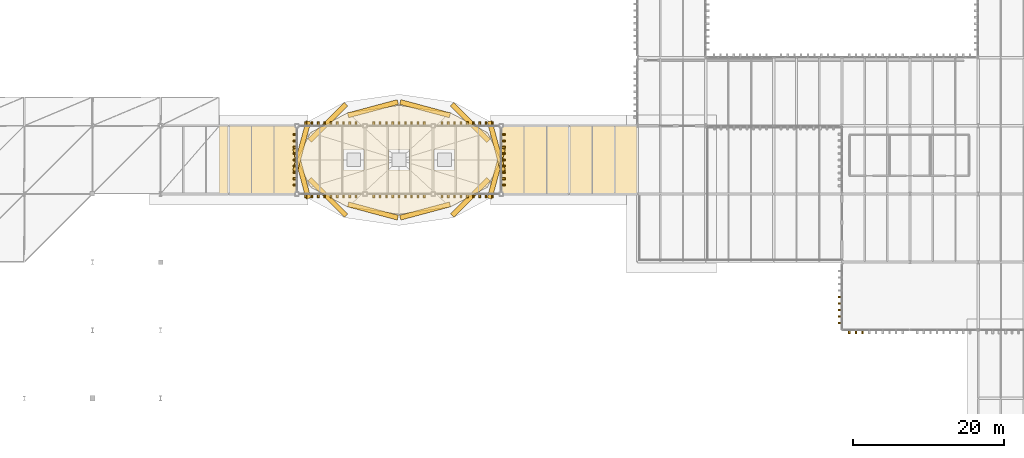
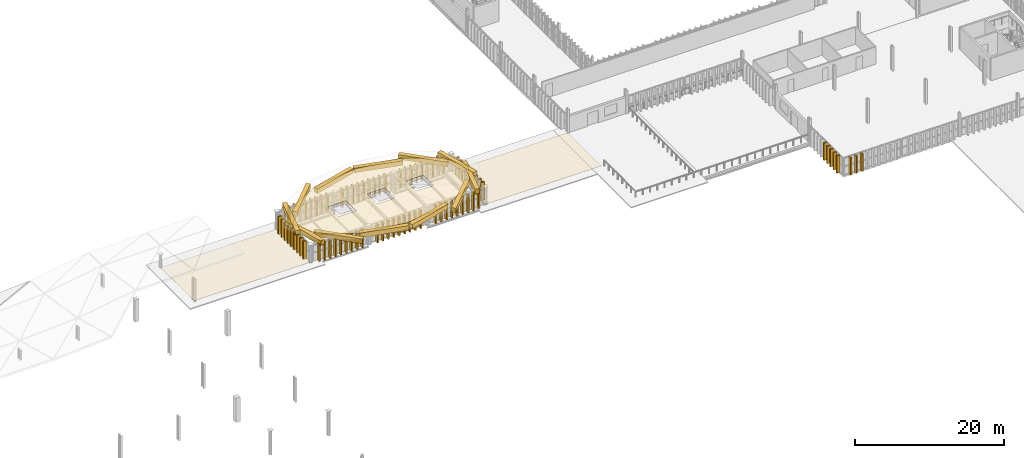
# One storey, part 94 of 102: 80 shading devices, 15 coverings.
"""IFC4 building model written with IfcOpenShell, lengths in metres."""

from ifc_helpers import new_model, si_unit, direction, frame, origin, origin_2d, place, context, subcontext, project, spatial, polyline, rectangle, outline, extrude, material, layer, layer_set, type_object, element, save


model = new_model("IFC4")

# Units and contexts
model_context = context("Model", 3, precision=1e-05, world=origin(), true_north=direction((0.0, 1.0)))
body_context = subcontext(model_context, "Body", "Model", "MODEL_VIEW")
ifc_project = project(units=[si_unit("LENGTHUNIT", "METRE"), si_unit("AREAUNIT", "SQUARE_METRE"), si_unit("VOLUMEUNIT", "CUBIC_METRE"), si_unit("PLANEANGLEUNIT", "RADIAN"), si_unit("MASSUNIT", "GRAM", prefix="KILO")], contexts=[model_context])

# Site, building, storey
site_placement = place(None, origin())
site = spatial("IfcSite", under=ifc_project, at=site_placement, CompositionType="ELEMENT")
building_placement = place(site_placement, origin())
building = spatial("IfcBuilding", under=site, at=building_placement, Name="Barlavento Convention Centre", CompositionType="ELEMENT")
storey_placement = place(building_placement, frame((0.0, 0.0, 22.800048828125)))
storey = spatial("IfcBuildingStorey", under=building, at=storey_placement, Name="L04", CompositionType="ELEMENT", Elevation=22.800048828125)

# Coverings
ifc_material_1 = material(Name="Macau dark grey granite cladding", Category="masonry")
ifc_layer_1 = layer(ifc_material_1, 0.050048828125)
ifc_layer_set_1 = layer_set([ifc_layer_1], Name="ARC-COV-CLAD-GRANITE")
covering_type_1 = type_object("IfcCoveringType", Name="ARC-COV-CLAD-GRANITE", PredefinedType="CLADDING", material=ifc_layer_set_1)
for number, where, z_axis, x_axis, name in (
    (1, (107.346923828125, 51.31201171875, 2.77490234375), (0.0, 0.0, 1.0), (-0.258819045103, 0.965925826289, 0.0), "Postmodern rotunda drum stone cornice ring CLD01"),
    (2, (103.905029296875, 54.449951171875, 2.77490234375), (0.0, 0.0, 1.0), (-0.707106781187, 0.707106781187, 0.0), "Postmodern rotunda drum stone cornice ring CLD01"),
    (3, (97.94189453125, 56.260986328125, 2.77490234375), (0.0, 0.0, 1.0), (-0.965925826289, 0.258819045103, 0.0), "Postmodern rotunda drum stone cornice ring CLD01"),
    (4, (91.05810546875, 56.260986328125, 2.77490234375), (0.0, 0.0, 1.0), (-0.965925826289, -0.258819045103, 0.0), "Postmodern rotunda drum stone cornice ring CLD01"),
    (5, (85.094970703125, 54.449951171875, 2.77490234375), (0.0, 0.0, 1.0), (-0.707106781187, -0.707106781187, 0.0), "Postmodern rotunda drum stone cornice ring CLD01"),
    (6, (81.653076171875, 51.31201171875, 2.77490234375), (0.0, 0.0, 1.0), (-0.258819045103, -0.965925826289, 0.0), "Postmodern rotunda drum stone cornice ring CLD01"),
    (7, (81.653076171875, 47.68798828125, 2.77490234375), (0.0, 0.0, 1.0), (0.258819045103, -0.965925826289, 0.0), "Postmodern rotunda drum stone cornice ring CLD01"),
    (8, (85.094970703125, 44.550048828125, 2.77490234375), (0.0, 0.0, 1.0), (0.707106781187, -0.707106781187, 0.0), "Postmodern rotunda drum stone cornice ring CLD01"),
    (9, (91.05810546875, 42.739013671875, 2.77490234375), (0.0, 0.0, 1.0), (0.965925826289, -0.258819045103, 0.0), "Postmodern rotunda drum stone cornice ring CLD01"),
    (10, (97.94189453125, 42.739013671875, 2.77490234375), (0.0, 0.0, 1.0), (0.965925826289, 0.258819045103, 0.0), "Postmodern rotunda drum stone cornice ring CLD01"),
    (11, (103.905029296875, 44.550048828125, 2.77490234375), (0.0, 0.0, 1.0), (0.707106781187, 0.707106781187, 0.0), "Postmodern rotunda drum stone cornice ring CLD01"),
    (12, (107.346923828125, 47.68798828125, 2.77490234375), (0.0, 0.0, 1.0), (0.258819045103, 0.965925826289, 0.0), "Postmodern rotunda drum stone cornice ring CLD01"),
):
    element("IfcCovering", number, at=place(storey_placement, frame(where, z_axis=z_axis, x_axis=x_axis)), inside=storey, type_object=covering_type_1, Name=name, PredefinedType="CLADDING", context=body_context, shape_type="SweptSolid", body=[
        extrude(rectangle(XDim=6.800048828125, YDim=0.64990234375, at=origin_2d()), origin(), (0.0, 0.0, 1.0), 0.75),
    ])
ifc_material_2 = material(Name="Insulated typhoon waterproof roofing membrane")
ifc_layer_2 = layer(ifc_material_2, 0.0400390625)
ifc_layer_set_2 = layer_set([ifc_layer_2], Name="ARC-COV-ROOFING-40")
covering_type_2 = type_object("IfcCoveringType", Name="ARC-COV-ROOFING-40", PredefinedType="ROOFING", material=ifc_layer_set_2)
covering_1_placement = place(storey_placement, frame((0.0, 0.0, 0.050048828125)))
element("IfcCovering", 13, at=covering_1_placement, inside=storey, type_object=covering_type_2, Name="L04 insulated waterproof roof covering", PredefinedType="ROOFING", context=body_context, shape_type="SweptSolid", body=[
    extrude(outline(polyline([(63.0, 45.0), (81.0, 45.0), (81.0, 54.0), (63.0, 54.0), (63.0, 45.0)])), origin(), (0.0, 0.0, 1.0), 0.039794921875),
])
covering_2_placement = place(storey_placement, frame((0.0, 0.0, 0.050048828125)))
element("IfcCovering", 14, at=covering_2_placement, inside=storey, type_object=covering_type_2, Name="L04 insulated waterproof roof covering", PredefinedType="ROOFING", context=body_context, shape_type="SweptSolid", body=[
    extrude(outline(polyline([(108.0, 45.0), (126.0, 45.0), (126.0, 54.0), (108.0, 54.0), (108.0, 45.0)])), origin(), (0.0, 0.0, 1.0), 0.039794921875),
])
covering_3_placement = place(storey_placement, frame((0.0, 0.0, 3.449951171875)))
element("IfcCovering", 15, at=covering_3_placement, inside=storey, type_object=covering_type_2, Name="L04 insulated waterproof roof covering", PredefinedType="ROOFING", context=body_context, shape_type="SweptSolid", body=[
    extrude(outline(polyline([(108.0, 49.5), (106.19091796875, 53.10009765625), (101.25, 55.735107421875), (94.5, 56.699951171875), (87.75, 55.735107421875), (82.80908203125, 53.10009765625), (81.0, 49.5), (82.80908203125, 45.89990234375), (87.75, 43.264892578125), (94.5, 42.300048828125), (101.25, 43.264892578125), (106.19091796875, 45.89990234375), (108.0, 49.5)]), holes=[polyline([(87.14990234375, 48.14990234375), (89.85009765625, 48.14990234375), (89.85009765625, 50.85009765625), (87.14990234375, 50.85009765625), (87.14990234375, 48.14990234375)]), polyline([(93.14990234375, 48.14990234375), (95.85009765625, 48.14990234375), (95.85009765625, 50.85009765625), (93.14990234375, 50.85009765625), (93.14990234375, 48.14990234375)]), polyline([(99.14990234375, 48.14990234375), (101.85009765625, 48.14990234375), (101.85009765625, 50.85009765625), (99.14990234375, 50.85009765625), (99.14990234375, 48.14990234375)])]), origin(), (0.0, 0.0, 1.0), 0.0400390625),
])

# Shading devices
ifc_material_3 = material(Name="PVDF white extruded aluminium", Category="aluminium")
shading_device_type = type_object("IfcShadingDeviceType", Name="ARC-SHD-FIN-480", PredefinedType="USERDEFINED", material=ifc_material_3)
for number, where, z_axis, x_axis, name in (
    (16, (82.167236328125, 44.760009765625, 0.0), (0.0, 0.0, 1.0), (1.0, 0.0, 0.0), "White vertical solar shading fin VF01"),
    (17, (83.00048828125, 44.760009765625, 0.0), (0.0, 0.0, 1.0), (1.0, 0.0, 0.0), "White vertical solar shading fin VF01"),
    (18, (83.83349609375, 44.760009765625, 0.0), (0.0, 0.0, 1.0), (1.0, 0.0, 0.0), "White vertical solar shading fin VF01"),
    (19, (84.666748046875, 44.760009765625, 0.0), (0.0, 0.0, 1.0), (1.0, 0.0, 0.0), "White vertical solar shading fin VF01"),
    (20, (85.5, 44.760009765625, 0.0), (0.0, 0.0, 1.0), (1.0, 0.0, 0.0), "White vertical solar shading fin VF01"),
    (21, (86.333251953125, 44.760009765625, 0.0), (0.0, 0.0, 1.0), (1.0, 0.0, 0.0), "White vertical solar shading fin VF01"),
    (22, (87.16650390625, 44.760009765625, 0.0), (0.0, 0.0, 1.0), (1.0, 0.0, 0.0), "White vertical solar shading fin VF01"),
    (23, (87.99951171875, 44.760009765625, 0.0), (0.0, 0.0, 1.0), (1.0, 0.0, 0.0), "White vertical solar shading fin VF01"),
    (24, (88.832763671875, 44.760009765625, 0.0), (0.0, 0.0, 1.0), (1.0, 0.0, 0.0), "White vertical solar shading fin VF01"),
    (25, (82.167236328125, 54.239990234375, 0.0), (0.0, 0.0, 1.0), (1.0, 0.0, 0.0), "White vertical solar shading fin VF01"),
    (26, (83.00048828125, 54.239990234375, 0.0), (0.0, 0.0, 1.0), (1.0, 0.0, 0.0), "White vertical solar shading fin VF01"),
    (27, (83.83349609375, 54.239990234375, 0.0), (0.0, 0.0, 1.0), (1.0, 0.0, 0.0), "White vertical solar shading fin VF01"),
    (28, (84.666748046875, 54.239990234375, 0.0), (0.0, 0.0, 1.0), (1.0, 0.0, 0.0), "White vertical solar shading fin VF01"),
    (29, (85.5, 54.239990234375, 0.0), (0.0, 0.0, 1.0), (1.0, 0.0, 0.0), "White vertical solar shading fin VF01"),
    (30, (86.333251953125, 54.239990234375, 0.0), (0.0, 0.0, 1.0), (1.0, 0.0, 0.0), "White vertical solar shading fin VF01"),
    (31, (87.16650390625, 54.239990234375, 0.0), (0.0, 0.0, 1.0), (1.0, 0.0, 0.0), "White vertical solar shading fin VF01"),
    (32, (87.99951171875, 54.239990234375, 0.0), (0.0, 0.0, 1.0), (1.0, 0.0, 0.0), "White vertical solar shading fin VF01"),
    (33, (88.832763671875, 54.239990234375, 0.0), (0.0, 0.0, 1.0), (1.0, 0.0, 0.0), "White vertical solar shading fin VF01"),
    (34, (91.167236328125, 44.760009765625, 0.0), (0.0, 0.0, 1.0), (1.0, 0.0, 0.0), "White vertical solar shading fin VF01"),
    (35, (92.00048828125, 44.760009765625, 0.0), (0.0, 0.0, 1.0), (1.0, 0.0, 0.0), "White vertical solar shading fin VF01"),
    (36, (92.83349609375, 44.760009765625, 0.0), (0.0, 0.0, 1.0), (1.0, 0.0, 0.0), "White vertical solar shading fin VF01"),
    (37, (93.666748046875, 44.760009765625, 0.0), (0.0, 0.0, 1.0), (1.0, 0.0, 0.0), "White vertical solar shading fin VF01"),
    (38, (94.5, 44.760009765625, 0.0), (0.0, 0.0, 1.0), (1.0, 0.0, 0.0), "White vertical solar shading fin VF01"),
    (39, (95.333251953125, 44.760009765625, 0.0), (0.0, 0.0, 1.0), (1.0, 0.0, 0.0), "White vertical solar shading fin VF01"),
    (40, (96.16650390625, 44.760009765625, 0.0), (0.0, 0.0, 1.0), (1.0, 0.0, 0.0), "White vertical solar shading fin VF01"),
    (41, (96.99951171875, 44.760009765625, 0.0), (0.0, 0.0, 1.0), (1.0, 0.0, 0.0), "White vertical solar shading fin VF01"),
    (42, (97.832763671875, 44.760009765625, 0.0), (0.0, 0.0, 1.0), (1.0, 0.0, 0.0), "White vertical solar shading fin VF01"),
    (43, (91.167236328125, 54.239990234375, 0.0), (0.0, 0.0, 1.0), (1.0, 0.0, 0.0), "White vertical solar shading fin VF01"),
    (44, (92.00048828125, 54.239990234375, 0.0), (0.0, 0.0, 1.0), (1.0, 0.0, 0.0), "White vertical solar shading fin VF01"),
    (45, (92.83349609375, 54.239990234375, 0.0), (0.0, 0.0, 1.0), (1.0, 0.0, 0.0), "White vertical solar shading fin VF01"),
    (46, (93.666748046875, 54.239990234375, 0.0), (0.0, 0.0, 1.0), (1.0, 0.0, 0.0), "White vertical solar shading fin VF01"),
    (47, (94.5, 54.239990234375, 0.0), (0.0, 0.0, 1.0), (1.0, 0.0, 0.0), "White vertical solar shading fin VF01"),
    (48, (95.333251953125, 54.239990234375, 0.0), (0.0, 0.0, 1.0), (1.0, 0.0, 0.0), "White vertical solar shading fin VF01"),
    (49, (96.16650390625, 54.239990234375, 0.0), (0.0, 0.0, 1.0), (1.0, 0.0, 0.0), "White vertical solar shading fin VF01"),
    (50, (96.99951171875, 54.239990234375, 0.0), (0.0, 0.0, 1.0), (1.0, 0.0, 0.0), "White vertical solar shading fin VF01"),
    (51, (97.832763671875, 54.239990234375, 0.0), (0.0, 0.0, 1.0), (1.0, 0.0, 0.0), "White vertical solar shading fin VF01"),
    (52, (100.167236328125, 44.760009765625, 0.0), (0.0, 0.0, 1.0), (1.0, 0.0, 0.0), "White vertical solar shading fin VF01"),
    (53, (101.00048828125, 44.760009765625, 0.0), (0.0, 0.0, 1.0), (1.0, 0.0, 0.0), "White vertical solar shading fin VF01"),
    (54, (101.83349609375, 44.760009765625, 0.0), (0.0, 0.0, 1.0), (1.0, 0.0, 0.0), "White vertical solar shading fin VF01"),
    (55, (102.666748046875, 44.760009765625, 0.0), (0.0, 0.0, 1.0), (1.0, 0.0, 0.0), "White vertical solar shading fin VF01"),
    (56, (103.5, 44.760009765625, 0.0), (0.0, 0.0, 1.0), (1.0, 0.0, 0.0), "White vertical solar shading fin VF01"),
    (57, (104.333251953125, 44.760009765625, 0.0), (0.0, 0.0, 1.0), (1.0, 0.0, 0.0), "White vertical solar shading fin VF01"),
    (58, (105.16650390625, 44.760009765625, 0.0), (0.0, 0.0, 1.0), (1.0, 0.0, 0.0), "White vertical solar shading fin VF01"),
    (59, (105.99951171875, 44.760009765625, 0.0), (0.0, 0.0, 1.0), (1.0, 0.0, 0.0), "White vertical solar shading fin VF01"),
    (60, (106.832763671875, 44.760009765625, 0.0), (0.0, 0.0, 1.0), (1.0, 0.0, 0.0), "White vertical solar shading fin VF01"),
    (61, (100.167236328125, 54.239990234375, 0.0), (0.0, 0.0, 1.0), (1.0, 0.0, 0.0), "White vertical solar shading fin VF01"),
    (62, (101.00048828125, 54.239990234375, 0.0), (0.0, 0.0, 1.0), (1.0, 0.0, 0.0), "White vertical solar shading fin VF01"),
    (63, (101.83349609375, 54.239990234375, 0.0), (0.0, 0.0, 1.0), (1.0, 0.0, 0.0), "White vertical solar shading fin VF01"),
    (64, (102.666748046875, 54.239990234375, 0.0), (0.0, 0.0, 1.0), (1.0, 0.0, 0.0), "White vertical solar shading fin VF01"),
    (65, (103.5, 54.239990234375, 0.0), (0.0, 0.0, 1.0), (1.0, 0.0, 0.0), "White vertical solar shading fin VF01"),
    (66, (104.333251953125, 54.239990234375, 0.0), (0.0, 0.0, 1.0), (1.0, 0.0, 0.0), "White vertical solar shading fin VF01"),
    (67, (105.16650390625, 54.239990234375, 0.0), (0.0, 0.0, 1.0), (1.0, 0.0, 0.0), "White vertical solar shading fin VF01"),
    (68, (105.99951171875, 54.239990234375, 0.0), (0.0, 0.0, 1.0), (1.0, 0.0, 0.0), "White vertical solar shading fin VF01"),
    (69, (106.832763671875, 54.239990234375, 0.0), (0.0, 0.0, 1.0), (1.0, 0.0, 0.0), "White vertical solar shading fin VF01"),
    (70, (80.760009765625, 46.167236328125, 0.0), (0.0, 0.0, 1.0), (0.0, 1.0, 0.0), "White vertical solar shading fin VF01"),
    (71, (80.760009765625, 47.00048828125, 0.0), (0.0, 0.0, 1.0), (0.0, 1.0, 0.0), "White vertical solar shading fin VF01"),
    (72, (80.760009765625, 47.83349609375, 0.0), (0.0, 0.0, 1.0), (0.0, 1.0, 0.0), "White vertical solar shading fin VF01"),
    (73, (80.760009765625, 48.666748046875, 0.0), (0.0, 0.0, 1.0), (0.0, 1.0, 0.0), "White vertical solar shading fin VF01"),
    (74, (80.760009765625, 49.5, 0.0), (0.0, 0.0, 1.0), (0.0, 1.0, 0.0), "White vertical solar shading fin VF01"),
    (75, (80.760009765625, 50.333251953125, 0.0), (0.0, 0.0, 1.0), (0.0, 1.0, 0.0), "White vertical solar shading fin VF01"),
    (76, (80.760009765625, 51.16650390625, 0.0), (0.0, 0.0, 1.0), (0.0, 1.0, 0.0), "White vertical solar shading fin VF01"),
    (77, (80.760009765625, 51.99951171875, 0.0), (0.0, 0.0, 1.0), (0.0, 1.0, 0.0), "White vertical solar shading fin VF01"),
    (78, (80.760009765625, 52.832763671875, 0.0), (0.0, 0.0, 1.0), (0.0, 1.0, 0.0), "White vertical solar shading fin VF01"),
    (79, (108.239990234375, 46.167236328125, 0.0), (0.0, 0.0, 1.0), (0.0, 1.0, 0.0), "White vertical solar shading fin VF01"),
    (80, (108.239990234375, 47.00048828125, 0.0), (0.0, 0.0, 1.0), (0.0, 1.0, 0.0), "White vertical solar shading fin VF01"),
    (81, (108.239990234375, 47.83349609375, 0.0), (0.0, 0.0, 1.0), (0.0, 1.0, 0.0), "White vertical solar shading fin VF01"),
    (82, (108.239990234375, 48.666748046875, 0.0), (0.0, 0.0, 1.0), (0.0, 1.0, 0.0), "White vertical solar shading fin VF01"),
    (83, (108.239990234375, 49.5, 0.0), (0.0, 0.0, 1.0), (0.0, 1.0, 0.0), "White vertical solar shading fin VF01"),
    (84, (108.239990234375, 50.333251953125, 0.0), (0.0, 0.0, 1.0), (0.0, 1.0, 0.0), "White vertical solar shading fin VF01"),
    (85, (108.239990234375, 51.16650390625, 0.0), (0.0, 0.0, 1.0), (0.0, 1.0, 0.0), "White vertical solar shading fin VF01"),
    (86, (108.239990234375, 51.99951171875, 0.0), (0.0, 0.0, 1.0), (0.0, 1.0, 0.0), "White vertical solar shading fin VF01"),
    (87, (108.239990234375, 52.832763671875, 0.0), (0.0, 0.0, 1.0), (0.0, 1.0, 0.0), "White vertical solar shading fin VF01"),
):
    element("IfcShadingDevice", number, at=place(storey_placement, frame(where, z_axis=z_axis, x_axis=x_axis)), inside=storey, type_object=shading_device_type, Name=name, ObjectType="FIN", PredefinedType="USERDEFINED", context=body_context, shape_type="SweptSolid", body=[
        extrude(rectangle(XDim=0.219970703125, YDim=0.52001953125, at=origin_2d()), origin(), (0.0, 0.0, 1.0), 3.0),
    ])
for number, where, z_axis, x_axis, name in (
    (88, (153.964111328125, 26.760009765625, 0.0), (0.0, 0.0, 1.0), (1.0, 0.0, 0.0), "White vertical solar shading fin VF01"),
    (89, (154.847900390625, 26.760009765625, 0.0), (0.0, 0.0, 1.0), (1.0, 0.0, 0.0), "White vertical solar shading fin VF01"),
    (90, (155.73193359375, 26.760009765625, 0.0), (0.0, 0.0, 1.0), (1.0, 0.0, 0.0), "White vertical solar shading fin VF01"),
    (91, (152.760009765625, 27.94091796875, 0.0), (0.0, 0.0, 1.0), (0.0, 1.0, 0.0), "White vertical solar shading fin VF01"),
    (92, (152.760009765625, 28.802001953125, 0.0), (0.0, 0.0, 1.0), (0.0, 1.0, 0.0), "White vertical solar shading fin VF01"),
    (93, (152.760009765625, 29.6630859375, 0.0), (0.0, 0.0, 1.0), (0.0, 1.0, 0.0), "White vertical solar shading fin VF01"),
    (94, (152.760009765625, 30.52392578125, 0.0), (0.0, 0.0, 1.0), (0.0, 1.0, 0.0), "White vertical solar shading fin VF01"),
    (95, (152.760009765625, 31.385009765625, 0.0), (0.0, 0.0, 1.0), (0.0, 1.0, 0.0), "White vertical solar shading fin VF01"),
):
    element("IfcShadingDevice", number, at=place(storey_placement, frame(where, z_axis=z_axis, x_axis=x_axis)), inside=storey, type_object=shading_device_type, Name=name, ObjectType="FIN", PredefinedType="USERDEFINED", context=body_context, shape_type="SweptSolid", body=[
        extrude(rectangle(XDim=0.219970703125, YDim=0.52001953125, at=origin_2d()), origin(), (0.0, 0.0, 1.0), 2.85009765625),
    ])

save(model, "model.ifc")
